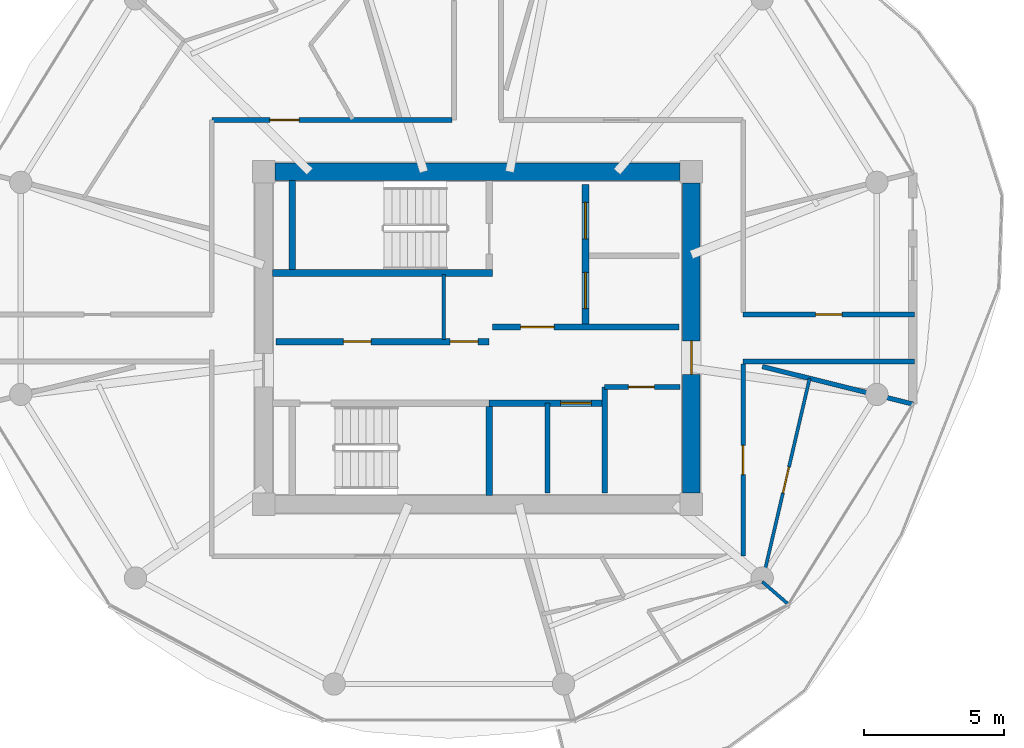
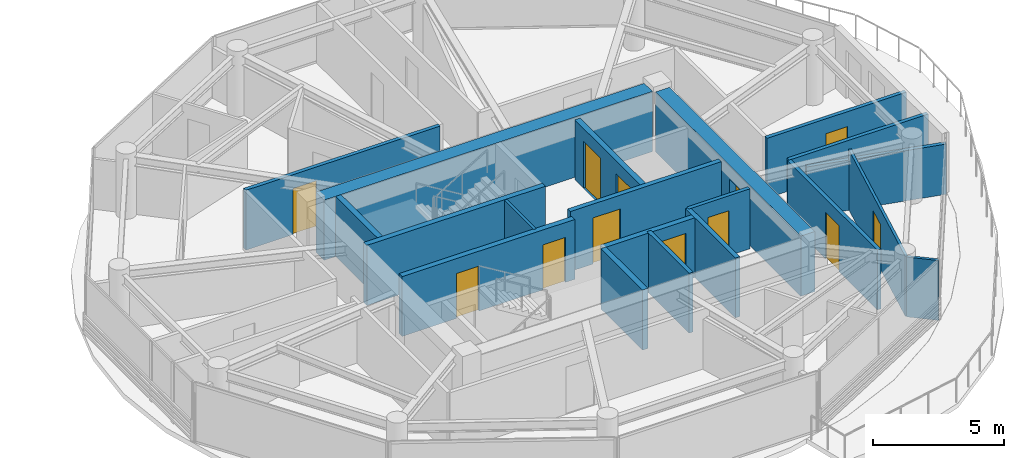
# One storey, part 16 of 23: 20 walls, 12 doors, 12 openings.
"""IFC4 building model written with IfcOpenShell, lengths in metres."""

from ifc_helpers import new_model, si_unit, direction, frame, frame_2d, origin, place, context, subcontext, project, spatial, rectangle, extrude, source, transform, mapped, material, layer, layer_set, type_object, type_shapes, element, fill, save


model = new_model("IFC4")

# Units and contexts
model_context = context("Model", 3, precision=1e-05, world=origin(), true_north=direction((0.0, 1.0)))
body_context = subcontext(model_context, "Body", "Model", "MODEL_VIEW")
ifc_project = project(units=[si_unit("LENGTHUNIT", "METRE"), si_unit("AREAUNIT", "SQUARE_METRE"), si_unit("VOLUMEUNIT", "CUBIC_METRE"), si_unit("PLANEANGLEUNIT", "RADIAN"), si_unit("MASSUNIT", "GRAM", prefix="KILO")], contexts=[model_context])

# Site, building, storey
site_placement = place(None, origin())
site = spatial("IfcSite", under=ifc_project, at=site_placement, CompositionType="ELEMENT")
building_placement = place(site_placement, origin())
building = spatial("IfcBuilding", under=site, at=building_placement, Name="Norrkilde Senior Care Towers", CompositionType="ELEMENT")
storey_placement = place(building_placement, frame((0.0, 0.0, 158.699951171875)))
storey = spatial("IfcBuildingStorey", under=building, at=storey_placement, Name="L49", CompositionType="ELEMENT", Elevation=158.699951171875)

# Wall
ifc_material_1 = material(Name="Concrete C50/60", Category="concrete")
ifc_layer_1 = layer(ifc_material_1, 0.6201171875)
ifc_layer_set_1 = layer_set([ifc_layer_1], Name="Concrete C50/60")
wall_type_1 = type_object("IfcWallType", Name="Core Shear Wall Z3 620", PredefinedType="SHEAR", material=ifc_layer_set_1)
shared_shape_1 = source(origin(), body_context, "Body", "SweptSolid", [
    extrude(rectangle(XDim=14.5, YDim=0.6201171875, at=frame_2d((7.25, 0.0))), origin(), (0.0, 0.0, 1.0), 2.81005859375),
])
wall_1_placement = place(storey_placement, frame((20.75, 5.949951171875, 0.0), z_axis=(0.0, 0.0, 1.0), x_axis=(1.0, 0.0, 0.0)))
element("IfcWall", 1, at=wall_1_placement, inside=storey, type_object=wall_type_1, Name="L49 Core E North Shear Wall", PredefinedType="SHEAR", context=body_context, shape_type="MappedRepresentation", body=[
    mapped(shared_shape_1, transform((0.0, 0.0, 0.0), x_axis=(1.0, 0.0, 0.0), y_axis=(0.0, 1.0, 0.0), z_axis=(0.0, 0.0, 1.0), scale=1.0)),
])

# Wall, opening, door
shared_shape_2 = source(origin(), body_context, "Body", "SweptSolid", [
    extrude(rectangle(XDim=11.10009765625, YDim=0.6201171875, at=frame_2d((5.550048828125, 0.0))), origin(), (0.0, 0.0, 1.0), 2.81005859375),
])
type_shapes(wall_type_1, [shared_shape_1, shared_shape_2])
wall_2_placement = place(storey_placement, frame((35.64990234375, 5.550048828125, 0.0), z_axis=(0.0, 0.0, 1.0), x_axis=(0.0, -1.0, 0.0)))
wall_2 = element("IfcWall", 2, at=wall_2_placement, inside=storey, type_object=wall_type_1, Name="L49 Core E East Shear Wall", PredefinedType="SHEAR", context=body_context, shape_type="MappedRepresentation", body=[
    mapped(shared_shape_2, transform((0.0, 0.0, 0.0), x_axis=(1.0, 0.0, 0.0), y_axis=(0.0, 1.0, 0.0), z_axis=(0.0, 0.0, 1.0), scale=1.0)),
])
opening_1_placement = place(wall_2_placement, frame((5.64990234375, 0.0, 0.0)))
opening_1 = element("IfcOpeningElement", 3, at=opening_1_placement, cuts=wall_2, Name="Opening D-04", PredefinedType="OPENING", context=body_context, shape_type="SweptSolid", body=[
    extrude(rectangle(XDim=1.199951171875, YDim=2.14990234375, at=frame_2d((0.60009765625, 1.074951171875))), frame((0.0, 0.320068359375, 0.0), z_axis=(0.0, -1.0, 0.0), x_axis=(1.0, 0.0, 0.0)), (0.0, 0.0, 1.0), 0.64013671875),
])
ifc_material_2 = material(Name="Galvanised Painted Steel", Category="steel")
door_type_1 = type_object("IfcDoorType", Name="Firefighting Lobby Fire Door 1200x2150", OperationType="NOTDEFINED", PredefinedType="DOOR", material=ifc_material_2)
shared_shape_3 = source(origin(), body_context, "Body", "SweptSolid", [
    extrude(rectangle(XDim=1.199951171875, YDim=2.14990234375, at=frame_2d((0.60009765625, 1.074951171875))), frame((0.0, 0.02490234375, 0.0), z_axis=(0.0, -1.0, 0.0), x_axis=(1.0, 0.0, 0.0)), (0.0, 0.0, 1.0), 0.050048828125),
])
type_shapes(door_type_1, [shared_shape_3])
door_1_placement = place(opening_1_placement, frame((1.199951171875, 0.0, 0.0), z_axis=(0.0, 0.0, 1.0), x_axis=(-1.0, 0.0, 0.0)))
door_1 = element("IfcDoor", 4, at=door_1_placement, inside=storey, type_object=door_type_1, Name="L49 Core E East Portal Door", OperationType="SINGLE_SWING_RIGHT", OverallHeight=2.14990234375, OverallWidth=1.199951171875, PredefinedType="DOOR", context=body_context, shape_type="MappedRepresentation", body=[
    mapped(shared_shape_3, transform((0.0, 0.0, 0.0), x_axis=(1.0, 0.0, 0.0), y_axis=(0.0, 1.0, 0.0), z_axis=(0.0, 0.0, 1.0), scale=1.0)),
])
fill(opening_1, door_1)

# Walls
ifc_material_3 = material(Name="Concrete C45/55", Category="concrete")
ifc_layer_2 = layer(ifc_material_3, 0.239990234375)
ifc_layer_set_2 = layer_set([ifc_layer_2], Name="Concrete C45/55")
wall_type_2 = type_object("IfcWallType", Name="Shaft and Stair Enclosure Wall 240", PredefinedType="PARTITIONING", material=ifc_layer_set_2)
shared_shape_4 = source(origin(), body_context, "Body", "SweptSolid", [
    extrude(rectangle(XDim=7.880126953125, YDim=0.239990234375, at=frame_2d((3.93994140625, 0.0))), origin(), (0.0, 0.0, 1.0), 2.81005859375),
])
wall_3_placement = place(storey_placement, frame((20.659912109375, 2.330078125, 0.0), z_axis=(0.0, 0.0, 1.0), x_axis=(1.0, 0.0, 0.0)))
element("IfcWall", 5, at=wall_3_placement, inside=storey, type_object=wall_type_2, Name="WL-INT-L49-E-ST1S", PredefinedType="PARTITIONING", context=body_context, shape_type="MappedRepresentation", body=[
    mapped(shared_shape_4, transform((0.0, 0.0, 0.0), x_axis=(1.0, 0.0, 0.0), y_axis=(0.0, 1.0, 0.0), z_axis=(0.0, 0.0, 1.0), scale=1.0)),
])
shared_shape_5 = source(origin(), body_context, "Body", "SweptSolid", [
    extrude(rectangle(XDim=3.18994140625, YDim=0.239990234375, at=frame_2d((1.594970703125, 0.0))), origin(), (0.0, 0.0, 1.0), 2.81005859375),
])
type_shapes(wall_type_2, [shared_shape_4, shared_shape_5])
for number, where, z_axis, x_axis, name in (
    (6, (21.3798828125, 2.449951171875, 0.0), (0.0, 0.0, 1.0), (0.0, 1.0, 0.0), "WL-INT-L49-E-ST1W"),
    (7, (28.419921875, -5.639892578125, 0.0), (0.0, 0.0, 1.0), (0.0, 1.0, 0.0), "WL-INT-L49-E-ST2E"),
):
    element("IfcWall", number, at=place(storey_placement, frame(where, z_axis=z_axis, x_axis=x_axis)), inside=storey, type_object=wall_type_2, Name=name, PredefinedType="PARTITIONING", context=body_context, shape_type="MappedRepresentation", body=[
        mapped(shared_shape_5, transform((0.0, 0.0, 0.0), x_axis=(1.0, 0.0, 0.0), y_axis=(0.0, 1.0, 0.0), z_axis=(0.0, 0.0, 1.0), scale=1.0)),
    ])

# Wall, openings, doors
ifc_layer_3 = layer(ifc_material_3, 0.239990234375)
ifc_layer_set_3 = layer_set([ifc_layer_3], Name="Concrete C45/55")
wall_type_3 = type_object("IfcWallType", Name="Lift and Plant Rated Enclosure Partition 240", PredefinedType="PARTITIONING", material=ifc_layer_set_3)
shared_shape_6 = source(origin(), body_context, "Body", "SweptSolid", [
    extrude(rectangle(XDim=5.0, YDim=0.239990234375, at=frame_2d((2.5, 0.0))), origin(), (0.0, 0.0, 1.0), 2.795166015625),
])
wall_4_placement = place(storey_placement, frame((31.860107421875, 0.5, 0.0), z_axis=(0.0, 0.0, 1.0), x_axis=(0.0, 1.0, 0.0)))
wall_4 = element("IfcWall", 8, at=wall_4_placement, inside=storey, type_object=wall_type_3, Name="WL-INT-L49-E-FFLE", PredefinedType="PARTITIONING", context=body_context, shape_type="MappedRepresentation", body=[
    mapped(shared_shape_6, transform((0.0, 0.0, 0.0), x_axis=(1.0, 0.0, 0.0), y_axis=(0.0, 1.0, 0.0), z_axis=(0.0, 0.0, 1.0), scale=1.0)),
])
opening_2_placement = place(wall_4_placement, frame((3.050048828125, 0.0, 0.0)))
opening_2 = element("IfcOpeningElement", 9, at=opening_2_placement, cuts=wall_4, Name="Opening LD-02", PredefinedType="OPENING", context=body_context, shape_type="SweptSolid", body=[
    extrude(rectangle(XDim=1.300048828125, YDim=2.199951171875, at=frame_2d((0.64990234375, 1.10009765625))), frame((0.0, 0.1298828125, 0.0), z_axis=(0.0, -1.0, 0.0), x_axis=(1.0, 0.0, 0.0)), (0.0, 0.0, 1.0), 0.260009765625),
])
opening_3_placement = place(wall_4_placement, frame((0.550048828125, 0.0, 0.0)))
opening_3 = element("IfcOpeningElement", 10, at=opening_3_placement, cuts=wall_4, Name="Opening LD-02", PredefinedType="OPENING", context=body_context, shape_type="SweptSolid", body=[
    extrude(rectangle(XDim=1.300048828125, YDim=2.199951171875, at=frame_2d((0.64990234375, 1.10009765625))), frame((0.0, 0.1298828125, 0.0), z_axis=(0.0, -1.0, 0.0), x_axis=(1.0, 0.0, 0.0)), (0.0, 0.0, 1.0), 0.260009765625),
])
ifc_material_4 = material(Name="Stainless Steel", Category="steel")
door_type_2 = type_object("IfcDoorType", Name="Stretcher and FFL Landing Sliding Door 1300x2200", OperationType="NOTDEFINED", PredefinedType="DOOR", material=ifc_material_4)
shared_shape_7 = source(origin(), body_context, "Body", "SweptSolid", [
    extrude(rectangle(XDim=1.300048828125, YDim=2.199951171875, at=frame_2d((0.64990234375, 1.10009765625))), frame((0.0, 0.02490234375, 0.0), z_axis=(0.0, -1.0, 0.0), x_axis=(1.0, 0.0, 0.0)), (0.0, 0.0, 1.0), 0.050048828125),
])
type_shapes(door_type_2, [shared_shape_7])
door_2_placement = place(opening_2_placement, origin())
door_2 = element("IfcDoor", 11, at=door_2_placement, inside=storey, type_object=door_type_2, Name="L49 Firefighting Lift E1 Landing Door", OperationType="SLIDING_TO_LEFT", OverallHeight=2.199951171875, OverallWidth=1.300048828125, PredefinedType="DOOR", context=body_context, shape_type="MappedRepresentation", body=[
    mapped(shared_shape_7, transform((0.0, 0.0, 0.0), x_axis=(1.0, 0.0, 0.0), y_axis=(0.0, 1.0, 0.0), z_axis=(0.0, 0.0, 1.0), scale=1.0)),
])
fill(opening_2, door_2)
door_3_placement = place(opening_3_placement, origin())
door_3 = element("IfcDoor", 12, at=door_3_placement, inside=storey, type_object=door_type_2, Name="L49 Stretcher Lift E1 Landing Door", OperationType="SLIDING_TO_RIGHT", OverallHeight=2.199951171875, OverallWidth=1.300048828125, PredefinedType="DOOR", context=body_context, shape_type="MappedRepresentation", body=[
    mapped(shared_shape_7, transform((0.0, 0.0, 0.0), x_axis=(1.0, 0.0, 0.0), y_axis=(0.0, 1.0, 0.0), z_axis=(0.0, 0.0, 1.0), scale=1.0)),
])
fill(opening_3, door_3)

# Wall, opening, door
ifc_layer_4 = layer(ifc_material_3, 0.2099609375)
ifc_layer_set_4 = layer_set([ifc_layer_4], Name="Concrete C45/55")
wall_type_4 = type_object("IfcWallType", Name="Firefighting Lobby Wall 210", PredefinedType="PARTITIONING", material=ifc_layer_set_4)
shared_shape_8 = source(origin(), body_context, "Body", "SweptSolid", [
    extrude(rectangle(XDim=6.659912109375, YDim=0.2099609375, at=frame_2d((3.330078125, 0.0))), origin(), (0.0, 0.0, 1.0), 2.795166015625),
])
type_shapes(wall_type_4, [shared_shape_8])
wall_5_placement = place(storey_placement, frame((28.5400390625, 0.389892578125, 0.0), z_axis=(0.0, 0.0, 1.0), x_axis=(1.0, 0.0, 0.0)))
wall_5 = element("IfcWall", 13, at=wall_5_placement, inside=storey, type_object=wall_type_4, Name="WL-INT-L49-E-FFLS", PredefinedType="PARTITIONING", context=body_context, shape_type="MappedRepresentation", body=[
    mapped(shared_shape_8, transform((0.0, 0.0, 0.0), x_axis=(1.0, 0.0, 0.0), y_axis=(0.0, 1.0, 0.0), z_axis=(0.0, 0.0, 1.0), scale=1.0)),
])
opening_4_placement = place(wall_5_placement, frame((1.0, 0.0, 0.0)))
opening_4 = element("IfcOpeningElement", 14, at=opening_4_placement, cuts=wall_5, Name="Opening D-04", PredefinedType="OPENING", context=body_context, shape_type="SweptSolid", body=[
    extrude(rectangle(XDim=1.199951171875, YDim=2.14990234375, at=frame_2d((0.60009765625, 1.074951171875))), frame((0.0, 0.114990234375, 0.0), z_axis=(0.0, -1.0, 0.0), x_axis=(1.0, 0.0, 0.0)), (0.0, 0.0, 1.0), 0.22998046875),
])
door_4_placement = place(opening_4_placement, frame((1.199951171875, 0.0, 0.0), z_axis=(0.0, 0.0, 1.0), x_axis=(-1.0, 0.0, 0.0)))
door_4 = element("IfcDoor", 15, at=door_4_placement, inside=storey, type_object=door_type_1, Name="L49 Firefighting Lobby E Door", OperationType="SINGLE_SWING_LEFT", OverallHeight=2.14990234375, OverallWidth=1.199951171875, PredefinedType="DOOR", context=body_context, shape_type="MappedRepresentation", body=[
    mapped(shared_shape_3, transform((0.0, 0.0, 0.0), x_axis=(1.0, 0.0, 0.0), y_axis=(0.0, 1.0, 0.0), z_axis=(0.0, 0.0, 1.0), scale=1.0)),
])
fill(opening_4, door_4)

# Wall, openings, doors
shared_shape_9 = source(origin(), body_context, "Body", "SweptSolid", [
    extrude(rectangle(XDim=7.619873046875, YDim=0.239990234375, at=frame_2d((3.81005859375, 0.0))), origin(), (0.0, 0.0, 1.0), 2.795166015625),
])
wall_6_placement = place(storey_placement, frame((20.800048828125, -0.1298828125, 0.0), z_axis=(0.0, 0.0, 1.0), x_axis=(1.0, 0.0, 0.0)))
wall_6 = element("IfcWall", 16, at=wall_6_placement, inside=storey, type_object=wall_type_3, Name="WL-INT-L49-E-PKAS", PredefinedType="PARTITIONING", context=body_context, shape_type="MappedRepresentation", body=[
    mapped(shared_shape_9, transform((0.0, 0.0, 0.0), x_axis=(1.0, 0.0, 0.0), y_axis=(0.0, 1.0, 0.0), z_axis=(0.0, 0.0, 1.0), scale=1.0)),
])
opening_5_placement = place(wall_6_placement, frame((6.219970703125, 0.0, 0.0)))
opening_5 = element("IfcOpeningElement", 17, at=opening_5_placement, cuts=wall_6, Name="Opening D-10", PredefinedType="OPENING", context=body_context, shape_type="SweptSolid", body=[
    extrude(rectangle(XDim=1.0, YDim=2.10009765625, at=frame_2d((0.5, 1.050048828125))), frame((0.0, 0.1298828125, 0.0), z_axis=(0.0, -1.0, 0.0), x_axis=(1.0, 0.0, 0.0)), (0.0, 0.0, 1.0), 0.260009765625),
])
opening_6_placement = place(wall_6_placement, frame((2.39990234375, 0.0, 0.0)))
opening_6 = element("IfcOpeningElement", 18, at=opening_6_placement, cuts=wall_6, Name="Opening D-10", PredefinedType="OPENING", context=body_context, shape_type="SweptSolid", body=[
    extrude(rectangle(XDim=1.0, YDim=2.10009765625, at=frame_2d((0.5, 1.050048828125))), frame((0.0, 0.1298828125, 0.0), z_axis=(0.0, -1.0, 0.0), x_axis=(1.0, 0.0, 0.0)), (0.0, 0.0, 1.0), 0.260009765625),
])
door_type_3 = type_object("IfcDoorType", Name="Plant and Riser Rated Door 1000x2100", OperationType="NOTDEFINED", PredefinedType="DOOR", material=ifc_material_2)
shared_shape_10 = source(origin(), body_context, "Body", "SweptSolid", [
    extrude(rectangle(XDim=1.0, YDim=2.10009765625, at=frame_2d((0.5, 1.050048828125))), frame((0.0, 0.02490234375, 0.0), z_axis=(0.0, -1.0, 0.0), x_axis=(1.0, 0.0, 0.0)), (0.0, 0.0, 1.0), 0.050048828125),
])
type_shapes(door_type_3, [shared_shape_10])
door_5_placement = place(opening_5_placement, frame((1.0, 0.0, 0.0), z_axis=(0.0, 0.0, 1.0), x_axis=(-1.0, 0.0, 0.0)))
door_5 = element("IfcDoor", 19, at=door_5_placement, inside=storey, type_object=door_type_3, Name="L49 Electrical Riser E Door", OperationType="SINGLE_SWING_LEFT", OverallHeight=2.10009765625, OverallWidth=1.0, PredefinedType="DOOR", context=body_context, shape_type="MappedRepresentation", body=[
    mapped(shared_shape_10, transform((0.0, 0.0, 0.0), x_axis=(1.0, 0.0, 0.0), y_axis=(0.0, 1.0, 0.0), z_axis=(0.0, 0.0, 1.0), scale=1.0)),
])
fill(opening_5, door_5)
door_6_placement = place(opening_6_placement, frame((1.0, 0.0, 0.0), z_axis=(0.0, 0.0, 1.0), x_axis=(-1.0, 0.0, 0.0)))
door_6 = element("IfcDoor", 20, at=door_6_placement, inside=storey, type_object=door_type_3, Name="L49 Clean Supply Store E Door", OperationType="SINGLE_SWING_LEFT", OverallHeight=2.10009765625, OverallWidth=1.0, PredefinedType="DOOR", context=body_context, shape_type="MappedRepresentation", body=[
    mapped(shared_shape_10, transform((0.0, 0.0, 0.0), x_axis=(1.0, 0.0, 0.0), y_axis=(0.0, 1.0, 0.0), z_axis=(0.0, 0.0, 1.0), scale=1.0)),
])
fill(opening_6, door_6)

# Walls
ifc_material_5 = material(Name="Gypsum Acoustic Board")
ifc_layer_5 = layer(ifc_material_5, 0.114990234375)
ifc_layer_set_5 = layer_set([ifc_layer_5], Name="Gypsum Acoustic Board")
wall_type_5 = type_object("IfcWallType", Name="Internal Room Partition 115", PredefinedType="PARTITIONING", material=ifc_layer_set_5)
shared_shape_11 = source(origin(), body_context, "Body", "SweptSolid", [
    extrude(rectangle(XDim=2.330078125, YDim=0.114990234375, at=frame_2d((1.1650390625, 0.0))), origin(), (0.0, 0.0, 1.0), 2.795166015625),
])
wall_7_placement = place(storey_placement, frame((26.7900390625, -0.050048828125, 0.0), z_axis=(0.0, 0.0, 1.0), x_axis=(0.0, 1.0, 0.0)))
element("IfcWall", 21, at=wall_7_placement, inside=storey, type_object=wall_type_5, Name="WL-INT-L49-E-RISW", PredefinedType="PARTITIONING", context=body_context, shape_type="MappedRepresentation", body=[
    mapped(shared_shape_11, transform((0.0, 0.0, 0.0), x_axis=(1.0, 0.0, 0.0), y_axis=(0.0, 1.0, 0.0), z_axis=(0.0, 0.0, 1.0), scale=1.0)),
])
ifc_layer_6 = layer(ifc_material_3, 0.199951171875)
ifc_layer_set_6 = layer_set([ifc_layer_6], Name="Concrete C45/55")
wall_type_6 = type_object("IfcWallType", Name="Shaft Division and Plant Partition 200", PredefinedType="PARTITIONING", material=ifc_layer_set_6)
shared_shape_12 = source(origin(), body_context, "Body", "SweptSolid", [
    extrude(rectangle(XDim=3.800048828125, YDim=0.199951171875, at=frame_2d((1.89990234375, 0.0))), origin(), (0.0, 0.0, 1.0), 2.795166015625),
])
type_shapes(wall_type_6, [shared_shape_12])
wall_8_placement = place(storey_placement, frame((32.550048828125, -5.550048828125, 0.0), z_axis=(0.0, 0.0, 1.0), x_axis=(0.0, 1.0, 0.0)))
element("IfcWall", 22, at=wall_8_placement, inside=storey, type_object=wall_type_6, Name="WL-INT-L49-E-PKBE", PredefinedType="PARTITIONING", context=body_context, shape_type="MappedRepresentation", body=[
    mapped(shared_shape_12, transform((0.0, 0.0, 0.0), x_axis=(1.0, 0.0, 0.0), y_axis=(0.0, 1.0, 0.0), z_axis=(0.0, 0.0, 1.0), scale=1.0)),
])

# Wall, opening, door
shared_shape_13 = source(origin(), body_context, "Body", "SweptSolid", [
    extrude(rectangle(XDim=4.130126953125, YDim=0.239990234375, at=frame_2d((2.06494140625, 0.0))), origin(), (0.0, 0.0, 1.0), 2.795166015625),
])
type_shapes(wall_type_3, [shared_shape_6, shared_shape_9, shared_shape_13])
wall_9_placement = place(storey_placement, frame((28.419921875, -2.330078125, 0.0), z_axis=(0.0, 0.0, 1.0), x_axis=(1.0, 0.0, 0.0)))
wall_9 = element("IfcWall", 23, at=wall_9_placement, inside=storey, type_object=wall_type_3, Name="WL-INT-L49-E-PKBN", PredefinedType="PARTITIONING", context=body_context, shape_type="MappedRepresentation", body=[
    mapped(shared_shape_13, transform((0.0, 0.0, 0.0), x_axis=(1.0, 0.0, 0.0), y_axis=(0.0, 1.0, 0.0), z_axis=(0.0, 0.0, 1.0), scale=1.0)),
])
opening_7_placement = place(wall_9_placement, frame((2.550048828125, 0.0, 0.0)))
opening_7 = element("IfcOpeningElement", 24, at=opening_7_placement, cuts=wall_9, Name="Opening LD-01", PredefinedType="OPENING", context=body_context, shape_type="SweptSolid", body=[
    extrude(rectangle(XDim=1.10009765625, YDim=2.199951171875, at=frame_2d((0.550048828125, 1.10009765625))), frame((0.0, 0.1298828125, 0.0), z_axis=(0.0, -1.0, 0.0), x_axis=(1.0, 0.0, 0.0)), (0.0, 0.0, 1.0), 0.260009765625),
])
door_type_4 = type_object("IfcDoorType", Name="Lift Landing Sliding Door 1100x2200", OperationType="NOTDEFINED", PredefinedType="DOOR", material=ifc_material_4)
shared_shape_14 = source(origin(), body_context, "Body", "SweptSolid", [
    extrude(rectangle(XDim=1.10009765625, YDim=2.199951171875, at=frame_2d((0.550048828125, 1.10009765625))), frame((0.0, 0.02490234375, 0.0), z_axis=(0.0, -1.0, 0.0), x_axis=(1.0, 0.0, 0.0)), (0.0, 0.0, 1.0), 0.050048828125),
])
type_shapes(door_type_4, [shared_shape_14])
door_7_placement = place(opening_7_placement, frame((1.10009765625, 0.0, 0.0), z_axis=(0.0, 0.0, 1.0), x_axis=(-1.0, 0.0, 0.0)))
door_7 = element("IfcDoor", 25, at=door_7_placement, inside=storey, type_object=door_type_4, Name="L49 Passenger Lift E4 Landing Door", OperationType="SLIDING_TO_RIGHT", OverallHeight=2.199951171875, OverallWidth=1.10009765625, PredefinedType="DOOR", context=body_context, shape_type="MappedRepresentation", body=[
    mapped(shared_shape_14, transform((0.0, 0.0, 0.0), x_axis=(1.0, 0.0, 0.0), y_axis=(0.0, 1.0, 0.0), z_axis=(0.0, 0.0, 1.0), scale=1.0)),
])
fill(opening_7, door_7)

# Wall
ifc_layer_7 = layer(ifc_material_3, 0.179931640625)
ifc_layer_set_7 = layer_set([ifc_layer_7], Name="Concrete C45/55")
wall_type_7 = type_object("IfcWallType", Name="Hoistway Division Rated Partition 180", PredefinedType="PARTITIONING", material=ifc_layer_set_7)
shared_shape_15 = source(origin(), body_context, "Body", "SweptSolid", [
    extrude(rectangle(XDim=3.219970703125, YDim=0.179931640625, at=frame_2d((1.60986328125, 0.0))), origin(), (0.0, 0.0, 1.0), 2.795166015625),
])
type_shapes(wall_type_7, [shared_shape_15])
wall_10_placement = place(storey_placement, frame((30.5, -5.550048828125, 0.0), z_axis=(0.0, 0.0, 1.0), x_axis=(0.0, 1.0, 0.0)))
element("IfcWall", 26, at=wall_10_placement, inside=storey, type_object=wall_type_7, Name="WL-INT-L49-E-PL34", PredefinedType="PARTITIONING", context=body_context, shape_type="MappedRepresentation", body=[
    mapped(shared_shape_15, transform((0.0, 0.0, 0.0), x_axis=(1.0, 0.0, 0.0), y_axis=(0.0, 1.0, 0.0), z_axis=(0.0, 0.0, 1.0), scale=1.0)),
])

# Wall, opening, door
ifc_layer_8 = layer(ifc_material_5, 0.1650390625)
ifc_layer_set_8 = layer_set([ifc_layer_8], Name="Gypsum Acoustic Board")
wall_type_8 = type_object("IfcWallType", Name="Corridor Rated Partition 165", PredefinedType="PARTITIONING", material=ifc_layer_set_8)
shared_shape_16 = source(origin(), body_context, "Body", "SweptSolid", [
    extrude(rectangle(XDim=2.699951171875, YDim=0.1650390625, at=frame_2d((1.35009765625, 0.0))), origin(), (0.0, 0.0, 1.0), 2.795166015625),
])
wall_11_placement = place(storey_placement, frame((32.550048828125, -1.75, 0.0), z_axis=(0.0, 0.0, 1.0), x_axis=(1.0, 0.0, 0.0)))
wall_11 = element("IfcWall", 27, at=wall_11_placement, inside=storey, type_object=wall_type_8, Name="WL-INT-L49-E-CSN", PredefinedType="PARTITIONING", context=body_context, shape_type="MappedRepresentation", body=[
    mapped(shared_shape_16, transform((0.0, 0.0, 0.0), x_axis=(1.0, 0.0, 0.0), y_axis=(0.0, 1.0, 0.0), z_axis=(0.0, 0.0, 1.0), scale=1.0)),
])
opening_8_placement = place(wall_11_placement, frame((0.85009765625, 0.0, 0.0)))
opening_8 = element("IfcOpeningElement", 28, at=opening_8_placement, cuts=wall_11, Name="Opening D-12", PredefinedType="OPENING", context=body_context, shape_type="SweptSolid", body=[
    extrude(rectangle(XDim=0.925048828125, YDim=2.10009765625, at=frame_2d((0.46240234375, 1.050048828125))), frame((0.0, 0.092529296875, 0.0), z_axis=(0.0, -1.0, 0.0), x_axis=(1.0, 0.0, 0.0)), (0.0, 0.0, 1.0), 0.18505859375),
])
door_type_5 = type_object("IfcDoorType", Name="Core Wet Room Rated Door 925x2100", OperationType="NOTDEFINED", PredefinedType="DOOR", material=ifc_material_2)
shared_shape_17 = source(origin(), body_context, "Body", "SweptSolid", [
    extrude(rectangle(XDim=0.925048828125, YDim=2.10009765625, at=frame_2d((0.46240234375, 1.050048828125))), frame((0.0, 0.02490234375, 0.0), z_axis=(0.0, -1.0, 0.0), x_axis=(1.0, 0.0, 0.0)), (0.0, 0.0, 1.0), 0.050048828125),
])
type_shapes(door_type_5, [shared_shape_17])
door_8_placement = place(opening_8_placement, origin())
door_8 = element("IfcDoor", 29, at=door_8_placement, inside=storey, type_object=door_type_5, Name="L49 Core Utility E Door", OperationType="SINGLE_SWING_LEFT", OverallHeight=2.10009765625, OverallWidth=0.925048828125, PredefinedType="DOOR", context=body_context, shape_type="MappedRepresentation", body=[
    mapped(shared_shape_17, transform((0.0, 0.0, 0.0), x_axis=(1.0, 0.0, 0.0), y_axis=(0.0, 1.0, 0.0), z_axis=(0.0, 0.0, 1.0), scale=1.0)),
])
fill(opening_8, door_8)

shared_shape_18 = source(origin(), body_context, "Body", "SweptSolid", [
    extrude(rectangle(XDim=8.580078125, YDim=0.1650390625, at=frame_2d((4.2900390625, 0.0))), origin(), (0.0, 0.0, 1.0), 2.795166015625),
])
wall_12_placement = place(storey_placement, frame((18.5, 7.800048828125, 0.0), z_axis=(0.0, 0.0, 1.0), x_axis=(1.0, 0.0, 0.0)))
wall_12 = element("IfcWall", 30, at=wall_12_placement, inside=storey, type_object=wall_type_8, Name="WL-INT-L49-E-CRW-N-0", PredefinedType="PARTITIONING", context=body_context, shape_type="MappedRepresentation", body=[
    mapped(shared_shape_18, transform((0.0, 0.0, 0.0), x_axis=(1.0, 0.0, 0.0), y_axis=(0.0, 1.0, 0.0), z_axis=(0.0, 0.0, 1.0), scale=1.0)),
])
opening_9_placement = place(wall_12_placement, frame((2.07177734375, 0.0, 0.0)))
opening_9 = element("IfcOpeningElement", 31, at=opening_9_placement, cuts=wall_12, Name="Opening D-06", PredefinedType="OPENING", context=body_context, shape_type="SweptSolid", body=[
    extrude(rectangle(XDim=1.050048828125, YDim=2.14990234375, at=frame_2d((0.52490234375, 1.074951171875))), frame((0.0, 0.092529296875, 0.0), z_axis=(0.0, -1.0, 0.0), x_axis=(1.0, 0.0, 0.0)), (0.0, 0.0, 1.0), 0.18505859375),
])
ifc_material_6 = material(Name="Nordic Ash Timber", Category="wood")
door_type_6 = type_object("IfcDoorType", Name="Apartment Entrance Fire Door 1050x2150", OperationType="NOTDEFINED", PredefinedType="DOOR", material=ifc_material_6)
shared_shape_19 = source(origin(), body_context, "Body", "SweptSolid", [
    extrude(rectangle(XDim=1.050048828125, YDim=2.14990234375, at=frame_2d((0.52490234375, 1.074951171875))), frame((0.0, 0.02490234375, 0.0), z_axis=(0.0, -1.0, 0.0), x_axis=(1.0, 0.0, 0.0)), (0.0, 0.0, 1.0), 0.050048828125),
])
type_shapes(door_type_6, [shared_shape_19])
door_9_placement = place(opening_9_placement, frame((1.050048828125, 0.0, 0.0), z_axis=(0.0, 0.0, 1.0), x_axis=(-1.0, 0.0, 0.0)))
door_9 = element("IfcDoor", 32, at=door_9_placement, inside=storey, type_object=door_type_6, Name="Apartment 49B Entrance Door", OperationType="SINGLE_SWING_RIGHT", OverallHeight=2.14990234375, OverallWidth=1.050048828125, PredefinedType="DOOR", context=body_context, shape_type="MappedRepresentation", body=[
    mapped(shared_shape_19, transform((0.0, 0.0, 0.0), x_axis=(1.0, 0.0, 0.0), y_axis=(0.0, 1.0, 0.0), z_axis=(0.0, 0.0, 1.0), scale=1.0)),
])
fill(opening_9, door_9)

shared_shape_20 = source(origin(), body_context, "Body", "SweptSolid", [
    extrude(rectangle(XDim=6.880126953125, YDim=0.1650390625, at=frame_2d((3.43994140625, 0.0))), origin(), (0.0, 0.0, 1.0), 2.795166015625),
])
wall_13_placement = place(storey_placement, frame((37.5, -0.919921875, 0.0), z_axis=(0.0, 0.0, 1.0), x_axis=(0.0, -1.0, 0.0)))
wall_13 = element("IfcWall", 33, at=wall_13_placement, inside=storey, type_object=wall_type_8, Name="WL-INT-L49-E-CRW-E-1", PredefinedType="PARTITIONING", context=body_context, shape_type="MappedRepresentation", body=[
    mapped(shared_shape_20, transform((0.0, 0.0, 0.0), x_axis=(1.0, 0.0, 0.0), y_axis=(0.0, 1.0, 0.0), z_axis=(0.0, 0.0, 1.0), scale=1.0)),
])
opening_10_placement = place(wall_13_placement, frame((2.9150390625, 0.0, 0.0)))
opening_10 = element("IfcOpeningElement", 34, at=opening_10_placement, cuts=wall_13, Name="Opening D-06", PredefinedType="OPENING", context=body_context, shape_type="SweptSolid", body=[
    extrude(rectangle(XDim=1.050048828125, YDim=2.14990234375, at=frame_2d((0.52490234375, 1.074951171875))), frame((0.0, 0.092529296875, 0.0), z_axis=(0.0, -1.0, 0.0), x_axis=(1.0, 0.0, 0.0)), (0.0, 0.0, 1.0), 0.18505859375),
])
door_10_placement = place(opening_10_placement, frame((1.050048828125, 0.0, 0.0), z_axis=(0.0, 0.0, 1.0), x_axis=(-1.0, 0.0, 0.0)))
door_10 = element("IfcDoor", 35, at=door_10_placement, inside=storey, type_object=door_type_6, Name="Apartment 49D Entrance Door", OperationType="SINGLE_SWING_RIGHT", OverallHeight=2.14990234375, OverallWidth=1.050048828125, PredefinedType="DOOR", context=body_context, shape_type="MappedRepresentation", body=[
    mapped(shared_shape_19, transform((0.0, 0.0, 0.0), x_axis=(1.0, 0.0, 0.0), y_axis=(0.0, 1.0, 0.0), z_axis=(0.0, 0.0, 1.0), scale=1.0)),
])
fill(opening_10, door_10)

# Wall
shared_shape_21 = source(origin(), body_context, "Body", "SweptSolid", [
    extrude(rectangle(XDim=5.564208984375, YDim=0.1650390625, at=frame_2d((2.7822265625, 0.0))), origin(), (0.0, 0.0, 1.0), 2.344970703125),
])
wall_14_placement = place(storey_placement, frame((38.18994140625, -1.02001953125, 0.0), z_axis=(0.0, 0.0, 1.0), x_axis=(0.97031260977, -0.241854169533, 0.0)))
element("IfcWall", 36, at=wall_14_placement, inside=storey, type_object=wall_type_8, Name="WL-INT-L49-E-DEM-11-0", PredefinedType="PARTITIONING", context=body_context, shape_type="MappedRepresentation", body=[
    mapped(shared_shape_21, transform((0.0, 0.0, 0.0), x_axis=(1.0, 0.0, 0.0), y_axis=(0.0, 1.0, 0.0), z_axis=(0.0, 0.0, 1.0), scale=1.0)),
])

# Wall, opening, door
shared_shape_22 = source(origin(), body_context, "Body", "SweptSolid", [
    extrude(rectangle(XDim=6.138916015625, YDim=0.1650390625, at=frame_2d((3.0693359375, 0.0))), origin(), (0.0, 0.0, 1.0), 2.795166015625),
])
type_shapes(wall_type_8, [shared_shape_16, shared_shape_18, shared_shape_20, shared_shape_21, shared_shape_22])
wall_15_placement = place(storey_placement, frame((37.5, 0.840087890625, 0.0), z_axis=(0.0, 0.0, 1.0), x_axis=(1.0, 0.0, 0.0)))
wall_15 = element("IfcWall", 37, at=wall_15_placement, inside=storey, type_object=wall_type_8, Name="WL-INT-L49-E-SPK-E1-0", PredefinedType="PARTITIONING", context=body_context, shape_type="MappedRepresentation", body=[
    mapped(shared_shape_22, transform((0.0, 0.0, 0.0), x_axis=(1.0, 0.0, 0.0), y_axis=(0.0, 1.0, 0.0), z_axis=(0.0, 0.0, 1.0), scale=1.0)),
])
opening_11_placement = place(wall_15_placement, frame((2.594482421875, 0.0, 0.0)))
opening_11 = element("IfcOpeningElement", 38, at=opening_11_placement, cuts=wall_15, Name="Opening D-07", PredefinedType="OPENING", context=body_context, shape_type="SweptSolid", body=[
    extrude(rectangle(XDim=0.949951171875, YDim=2.10009765625, at=frame_2d((0.47509765625, 1.050048828125))), frame((0.0, 0.092529296875, 0.0), z_axis=(0.0, -1.0, 0.0), x_axis=(1.0, 0.0, 0.0)), (0.0, 0.0, 1.0), 0.18505859375),
])
door_type_7 = type_object("IfcDoorType", Name="Internal Suite Bedroom Door 950x2100", OperationType="NOTDEFINED", PredefinedType="DOOR", material=ifc_material_6)
shared_shape_23 = source(origin(), body_context, "Body", "SweptSolid", [
    extrude(rectangle(XDim=0.949951171875, YDim=2.10009765625, at=frame_2d((0.47509765625, 1.050048828125))), frame((0.0, 0.02490234375, 0.0), z_axis=(0.0, -1.0, 0.0), x_axis=(1.0, 0.0, 0.0)), (0.0, 0.0, 1.0), 0.050048828125),
])
type_shapes(door_type_7, [shared_shape_23])
door_11_placement = place(opening_11_placement, frame((0.949951171875, 0.0, 0.0), z_axis=(0.0, 0.0, 1.0), x_axis=(-1.0, 0.0, 0.0)))
door_11 = element("IfcDoor", 39, at=door_11_placement, inside=storey, type_object=door_type_7, Name="L49 Sun Reading Lounge 5 Door", OperationType="SINGLE_SWING_RIGHT", OverallHeight=2.10009765625, OverallWidth=0.949951171875, PredefinedType="DOOR", context=body_context, shape_type="MappedRepresentation", body=[
    mapped(shared_shape_23, transform((0.0, 0.0, 0.0), x_axis=(1.0, 0.0, 0.0), y_axis=(0.0, 1.0, 0.0), z_axis=(0.0, 0.0, 1.0), scale=1.0)),
])
fill(opening_11, door_11)

# Wall
wall_16_placement = place(storey_placement, frame((43.638916015625, -0.840087890625, 0.0), z_axis=(0.0, 0.0, 1.0), x_axis=(-1.0, 0.0, 0.0)))
element("IfcWall", 40, at=wall_16_placement, inside=storey, type_object=wall_type_8, Name="WL-INT-L49-E-SPK-E2-0", PredefinedType="PARTITIONING", context=body_context, shape_type="MappedRepresentation", body=[
    mapped(shared_shape_22, transform((0.0, 0.0, 0.0), x_axis=(1.0, 0.0, 0.0), y_axis=(0.0, 1.0, 0.0), z_axis=(0.0, 0.0, 1.0), scale=1.0)),
])

# Wall, opening, door
shared_shape_24 = source(origin(), body_context, "Body", "SweptSolid", [
    extrude(rectangle(XDim=7.46875, YDim=0.114990234375, at=frame_2d((3.734375, 0.0))), origin(), (0.0, 0.0, 1.0), 2.795166015625),
])
wall_17_placement = place(storey_placement, frame((38.1865234375, -8.714599609375, 0.0), z_axis=(0.0, 0.0, 1.0), x_axis=(0.226790420763, 0.973943584121, 0.0)))
wall_17 = element("IfcWall", 41, at=wall_17_placement, inside=storey, type_object=wall_type_5, Name="WL-INT-L49-E-UBC-09-1", PredefinedType="PARTITIONING", context=body_context, shape_type="MappedRepresentation", body=[
    mapped(shared_shape_24, transform((0.0, 0.0, 0.0), x_axis=(1.0, 0.0, 0.0), y_axis=(0.0, 1.0, 0.0), z_axis=(0.0, 0.0, 1.0), scale=1.0)),
])
opening_12_placement = place(wall_17_placement, frame((3.25927734375, 0.0, 0.0)))
opening_12 = element("IfcOpeningElement", 42, at=opening_12_placement, cuts=wall_17, Name="Opening D-07", PredefinedType="OPENING", context=body_context, shape_type="SweptSolid", body=[
    extrude(rectangle(XDim=0.949951171875, YDim=2.10009765625, at=frame_2d((0.47509765625, 1.050048828125))), frame((0.0, 0.0673828125, 0.0), z_axis=(0.0, -1.0, 0.0), x_axis=(1.0, 0.0, 0.0)), (0.0, 0.0, 1.0), 0.135009765625),
])
door_12_placement = place(opening_12_placement, origin())
door_12 = element("IfcDoor", 43, at=door_12_placement, inside=storey, type_object=door_type_7, Name="Apartment 49D Bedroom 1 Door", OperationType="SINGLE_SWING_LEFT", OverallHeight=2.10009765625, OverallWidth=0.949951171875, PredefinedType="DOOR", context=body_context, shape_type="MappedRepresentation", body=[
    mapped(shared_shape_23, transform((0.0, 0.0, 0.0), x_axis=(1.0, 0.0, 0.0), y_axis=(0.0, 1.0, 0.0), z_axis=(0.0, 0.0, 1.0), scale=1.0)),
])
fill(opening_12, door_12)

# Wall
shared_shape_25 = source(origin(), body_context, "Body", "SweptSolid", [
    extrude(rectangle(XDim=1.2578125, YDim=0.114990234375, at=frame_2d((0.62890625, 0.0))), origin(), (0.0, 0.0, 1.0), 2.795166015625),
])
type_shapes(wall_type_5, [shared_shape_11, shared_shape_24, shared_shape_25])
wall_18_placement = place(storey_placement, frame((38.1865234375, -8.714599609375, 0.0), z_axis=(0.0, 0.0, 1.0), x_axis=(0.755765923317, -0.654841865761, 0.0)))
element("IfcWall", 44, at=wall_18_placement, inside=storey, type_object=wall_type_5, Name="WL-INT-L49-E-UBR-09-1", PredefinedType="PARTITIONING", context=body_context, shape_type="MappedRepresentation", body=[
    mapped(shared_shape_25, transform((0.0, 0.0, 0.0), x_axis=(1.0, 0.0, 0.0), y_axis=(0.0, 1.0, 0.0), z_axis=(0.0, 0.0, 1.0), scale=1.0)),
])

save(model, "model.ifc")
